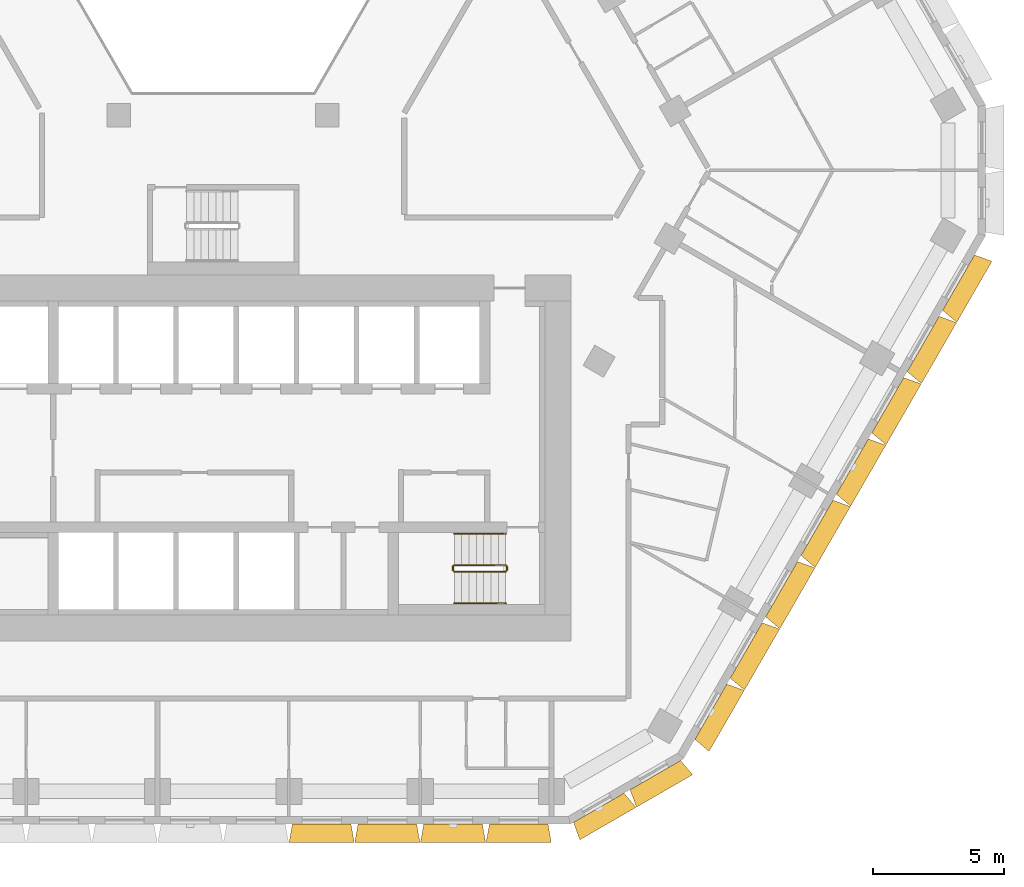
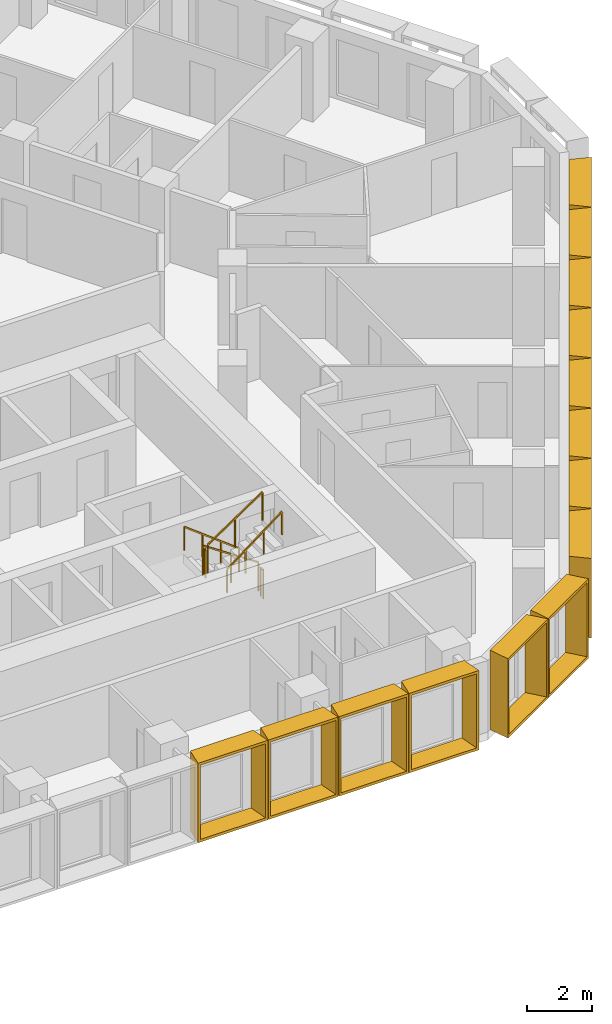
# One storey, part 17 of 18: 14 shading devices, 6 railings.
"""IFC4 building model written with IfcOpenShell, lengths in metres."""

from ifc_helpers import new_model, entity, si_unit, direction, frame, origin, origin_2d, place, context, subcontext, project, spatial, rectangle, extrude, source, transform, mapped, material, type_object, type_shapes, element, save


model = new_model("IFC4")

# Units and contexts
model_context = context("Model", 3, precision=1e-05, world=origin(), true_north=direction((0.0, 1.0)))
body_context = subcontext(model_context, "Body", "Model", "MODEL_VIEW")
ifc_project = project(units=[si_unit("LENGTHUNIT", "METRE"), si_unit("AREAUNIT", "SQUARE_METRE"), si_unit("VOLUMEUNIT", "CUBIC_METRE"), si_unit("PLANEANGLEUNIT", "RADIAN"), si_unit("MASSUNIT", "GRAM", prefix="KILO")], contexts=[model_context])

# Site, building, storey
site_placement = place(None, origin())
site = spatial("IfcSite", under=ifc_project, at=site_placement, CompositionType="ELEMENT")
building_placement = place(site_placement, origin())
building = spatial("IfcBuilding", under=site, at=building_placement, Name="Beryl Residences", CompositionType="ELEMENT")
storey_placement = place(building_placement, frame((0.0, 0.0, 87.0)))
storey = spatial("IfcBuildingStorey", under=building, at=storey_placement, Name="L26", CompositionType="ELEMENT", Elevation=87.0)

# Shading devices
ifc_material_1 = material(Name="Aluminium pale anodised", Category="aluminium")
shading_device_type_1 = type_object("IfcShadingDeviceType", Name="FR250-70A OUTER SKIN frame 700 mm deep, splay 10/10 deg, 2500 x 3000 mm cell", PredefinedType="USERDEFINED", material=ifc_material_1)
cartesian_point_1 = entity("IfcCartesianPoint", [-1.116455078125, 0.0])
cartesian_point_2 = entity("IfcCartesianPoint", [-1.03515625, 0.10009765625])
cartesian_point_3 = entity("IfcCartesianPoint", [-1.239990234375, 0.0])
cartesian_point_4 = entity("IfcCartesianPoint", [-1.15869140625, 0.10009765625])
shared_shape_1 = source(origin(), body_context, "Body", "SweptSolid", [
    entity("IfcExtrudedAreaSolidTapered", entity("IfcArbitraryProfileDefWithVoids", "AREA", None, entity("IfcPolyline", [cartesian_point_1, entity("IfcCartesianPoint", [1.116455078125, 0.0]), entity("IfcCartesianPoint", [1.116455078125, 3.0]), entity("IfcCartesianPoint", [-1.116455078125, 3.0]), cartesian_point_1]), [entity("IfcPolyline", [cartesian_point_2, entity("IfcCartesianPoint", [1.03515625, 0.10009765625]), entity("IfcCartesianPoint", [1.03515625, 2.89990234375]), entity("IfcCartesianPoint", [-1.03515625, 2.89990234375]), cartesian_point_2])]), entity("IfcAxis2Placement3D", entity("IfcCartesianPoint", [0.0, 0.0, 0.0]), entity("IfcDirection", [0.0, 1.0, 0.0]), entity("IfcDirection", [-1.0, 0.0, 0.0])), entity("IfcDirection", [0.0, 0.0, 1.0]), 0.699951171875, entity("IfcArbitraryProfileDefWithVoids", "AREA", None, entity("IfcPolyline", [cartesian_point_3, entity("IfcCartesianPoint", [1.239990234375, 0.0]), entity("IfcCartesianPoint", [1.239990234375, 3.0]), entity("IfcCartesianPoint", [-1.239990234375, 3.0]), cartesian_point_3]), [entity("IfcPolyline", [cartesian_point_4, entity("IfcCartesianPoint", [1.15869140625, 0.10009765625]), entity("IfcCartesianPoint", [1.15869140625, 2.89990234375]), entity("IfcCartesianPoint", [-1.15869140625, 2.89990234375]), cartesian_point_4])])),
])
type_shapes(shading_device_type_1, [shared_shape_1])
for number, where, z_axis, x_axis, name in (
    (1, (14.361083984375, -25.375, 0.0), (0.0, 0.0, 1.0), (-0.866025403784, -0.5, 0.0), "FR250-70A frame L26 S-SE 1"),
    (2, (16.527099609375, -24.125, 0.0), (0.0, 0.0, 1.0), (-0.866025403784, -0.5, 0.0), "FR250-70A frame L26 S-SE 2"),
):
    element("IfcShadingDevice", number, at=place(storey_placement, frame(where, z_axis=z_axis, x_axis=x_axis)), inside=storey, type_object=shading_device_type_1, Name=name, ObjectType="OUTER SKIN", PredefinedType="USERDEFINED", context=body_context, shape_type="MappedRepresentation", body=[
        mapped(shared_shape_1, transform((0.0, 0.0, 0.0))),
    ])
ifc_material_2 = material(Name="Aluminium pale anodised", Category="aluminium")
shading_device_type_2 = type_object("IfcShadingDeviceType", Name="FR251-70A OUTER SKIN frame 700 mm deep, splay 10/10 deg, 2510 x 3000 mm cell", PredefinedType="USERDEFINED", material=ifc_material_2)
cartesian_point_5 = entity("IfcCartesianPoint", [-1.12158203125, 0.0])
cartesian_point_6 = entity("IfcCartesianPoint", [-1.040283203125, 0.10009765625])
cartesian_point_7 = entity("IfcCartesianPoint", [-1.244873046875, 0.0])
cartesian_point_8 = entity("IfcCartesianPoint", [-1.16357421875, 0.10009765625])
shared_shape_2 = source(origin(), body_context, "Body", "SweptSolid", [
    entity("IfcExtrudedAreaSolidTapered", entity("IfcArbitraryProfileDefWithVoids", "AREA", None, entity("IfcPolyline", [cartesian_point_5, entity("IfcCartesianPoint", [1.12158203125, 0.0]), entity("IfcCartesianPoint", [1.12158203125, 3.0]), entity("IfcCartesianPoint", [-1.12158203125, 3.0]), cartesian_point_5]), [entity("IfcPolyline", [cartesian_point_6, entity("IfcCartesianPoint", [1.040283203125, 0.10009765625]), entity("IfcCartesianPoint", [1.040283203125, 2.89990234375]), entity("IfcCartesianPoint", [-1.040283203125, 2.89990234375]), cartesian_point_6])]), entity("IfcAxis2Placement3D", entity("IfcCartesianPoint", [0.0, 0.0, 0.0]), entity("IfcDirection", [0.0, 1.0, 0.0]), entity("IfcDirection", [-1.0, 0.0, 0.0])), entity("IfcDirection", [0.0, 0.0, 1.0]), 0.699951171875, entity("IfcArbitraryProfileDefWithVoids", "AREA", None, entity("IfcPolyline", [cartesian_point_7, entity("IfcCartesianPoint", [1.244873046875, 0.0]), entity("IfcCartesianPoint", [1.244873046875, 3.0]), entity("IfcCartesianPoint", [-1.244873046875, 3.0]), cartesian_point_7]), [entity("IfcPolyline", [cartesian_point_8, entity("IfcCartesianPoint", [1.16357421875, 0.10009765625]), entity("IfcCartesianPoint", [1.16357421875, 2.89990234375]), entity("IfcCartesianPoint", [-1.16357421875, 2.89990234375]), cartesian_point_8])])),
])
type_shapes(shading_device_type_2, [shared_shape_2])
for number, where, z_axis, x_axis, name in (
    (3, (3.76806640625, -26.0, 0.0), (0.0, 0.0, 1.0), (-1.0, 0.0, 0.0), "FR251-70A frame L26 S 7"),
    (4, (6.279052734375, -26.0, 0.0), (0.0, 0.0, 1.0), (-1.0, 0.0, 0.0), "FR251-70A frame L26 S 8"),
    (5, (8.791015625, -26.0, 0.0), (0.0, 0.0, 1.0), (-1.0, 0.0, 0.0), "FR251-70A frame L26 S 9"),
    (6, (11.302001953125, -26.0, 0.0), (0.0, 0.0, 1.0), (-1.0, 0.0, 0.0), "FR251-70A frame L26 S 10"),
):
    element("IfcShadingDevice", number, at=place(storey_placement, frame(where, z_axis=z_axis, x_axis=x_axis)), inside=storey, type_object=shading_device_type_2, Name=name, ObjectType="OUTER SKIN", PredefinedType="USERDEFINED", context=body_context, shape_type="MappedRepresentation", body=[
        mapped(shared_shape_2, transform((0.0, 0.0, 0.0))),
    ])
ifc_material_3 = material(Name="Aluminium pale anodised", Category="aluminium")
shading_device_type_3 = type_object("IfcShadingDeviceType", Name="FR271-70A OUTER SKIN frame 700 mm deep, splay 10/10 deg, 2710 x 3000 mm cell", PredefinedType="USERDEFINED", material=ifc_material_3)
cartesian_point_9 = entity("IfcCartesianPoint", [-1.221435546875, 0.0])
cartesian_point_10 = entity("IfcCartesianPoint", [-1.140380859375, 0.10009765625])
cartesian_point_11 = entity("IfcCartesianPoint", [-1.344970703125, 0.0])
cartesian_point_12 = entity("IfcCartesianPoint", [-1.263671875, 0.10009765625])
shared_shape_3 = source(origin(), body_context, "Body", "SweptSolid", [
    entity("IfcExtrudedAreaSolidTapered", entity("IfcArbitraryProfileDefWithVoids", "AREA", None, entity("IfcPolyline", [cartesian_point_9, entity("IfcCartesianPoint", [1.221435546875, 0.0]), entity("IfcCartesianPoint", [1.221435546875, 3.0]), entity("IfcCartesianPoint", [-1.221435546875, 3.0]), cartesian_point_9]), [entity("IfcPolyline", [cartesian_point_10, entity("IfcCartesianPoint", [1.140380859375, 0.10009765625]), entity("IfcCartesianPoint", [1.140380859375, 2.89990234375]), entity("IfcCartesianPoint", [-1.140380859375, 2.89990234375]), cartesian_point_10])]), entity("IfcAxis2Placement3D", entity("IfcCartesianPoint", [0.0, 0.0, 0.0]), entity("IfcDirection", [0.0, 1.0, 0.0]), entity("IfcDirection", [-1.0, 0.0, 0.0])), entity("IfcDirection", [0.0, 0.0, 1.0]), 0.699951171875, entity("IfcArbitraryProfileDefWithVoids", "AREA", None, entity("IfcPolyline", [cartesian_point_11, entity("IfcCartesianPoint", [1.344970703125, 0.0]), entity("IfcCartesianPoint", [1.344970703125, 3.0]), entity("IfcCartesianPoint", [-1.344970703125, 3.0]), cartesian_point_11]), [entity("IfcPolyline", [cartesian_point_12, entity("IfcCartesianPoint", [1.263671875, 0.10009765625]), entity("IfcCartesianPoint", [1.263671875, 2.89990234375]), entity("IfcCartesianPoint", [-1.263671875, 2.89990234375]), cartesian_point_12])])),
])
type_shapes(shading_device_type_3, [shared_shape_3])
for number, where, z_axis, x_axis, name in (
    (7, (18.64697265625, -21.7041015625, 0.0), (0.0, 0.0, 1.0), (-0.5, -0.866025403784, 0.0), "FR271-70A frame L26 SE 1"),
    (8, (20.0, -19.360107421875, 0.0), (0.0, 0.0, 1.0), (-0.5, -0.866025403784, 0.0), "FR271-70A frame L26 SE 2"),
    (9, (21.35302734375, -17.01611328125, 0.0), (0.0, 0.0, 1.0), (-0.5, -0.866025403784, 0.0), "FR271-70A frame L26 SE 3"),
    (10, (22.7060546875, -14.672119140625, 0.0), (0.0, 0.0, 1.0), (-0.5, -0.866025403784, 0.0), "FR271-70A frame L26 SE 4"),
    (11, (24.06005859375, -12.327880859375, 0.0), (0.0, 0.0, 1.0), (-0.5, -0.866025403784, 0.0), "FR271-70A frame L26 SE 5"),
    (12, (25.4130859375, -9.98388671875, 0.0), (0.0, 0.0, 1.0), (-0.5, -0.866025403784, 0.0), "FR271-70A frame L26 SE 6"),
    (13, (26.76611328125, -7.639892578125, 0.0), (0.0, 0.0, 1.0), (-0.5, -0.866025403784, 0.0), "FR271-70A frame L26 SE 7"),
    (14, (28.118896484375, -5.2958984375, 0.0), (0.0, 0.0, 1.0), (-0.5, -0.866025403784, 0.0), "FR271-70A frame L26 SE 8"),
):
    element("IfcShadingDevice", number, at=place(storey_placement, frame(where, z_axis=z_axis, x_axis=x_axis)), inside=storey, type_object=shading_device_type_3, Name=name, ObjectType="OUTER SKIN", PredefinedType="USERDEFINED", context=body_context, shape_type="MappedRepresentation", body=[
        mapped(shared_shape_3, transform((0.0, 0.0, 0.0))),
    ])

# Railings
ifc_material_4 = material(Name="Stainless steel balustrade with glass infill", Category="steel")
railing_type_1 = type_object("IfcRailingType", Name="SG1 stair guard 1100 mm", PredefinedType="GUARDRAIL", material=ifc_material_4)
railing_1_placement = place(storey_placement, frame((10.800048828125, -16.10009765625, 0.1875)))
element("IfcRailing", 15, at=railing_1_placement, inside=storey, type_object=railing_type_1, Name="L26 ST-3 stair guard 1", PredefinedType="GUARDRAIL", context=body_context, shape_type="SweptSolid", body=[
    extrude(rectangle(XDim=0.048095703125, YDim=0.048095703125, at=origin_2d()), frame((0.0, 0.0, 1.076171875), z_axis=(-0.830902050051, 0.0, 0.556418712142), x_axis=(0.0, -1.0, 0.0)), (0.0, 0.0, 1.0), 2.35888671875),
    extrude(rectangle(XDim=0.0419921875, YDim=0.0419921875, at=origin_2d()), origin(), (0.0, 0.0, 1.0), 1.052001953125),
    extrude(rectangle(XDim=0.0419921875, YDim=0.0419921875, at=origin_2d()), frame((-0.97998046875, 0.0, 0.65625)), (0.0, 0.0, 1.0), 1.052001953125),
    extrude(rectangle(XDim=0.0419921875, YDim=0.0419921875, at=origin_2d()), frame((-1.9599609375, 0.0, 1.3125)), (0.0, 0.0, 1.0), 1.052001953125),
])
railing_2_placement = place(storey_placement, frame((8.7900390625, -16.14990234375, 1.5)))
element("IfcRailing", 16, at=railing_2_placement, inside=storey, type_object=railing_type_1, Name="L26 ST-3 stair guard 2", PredefinedType="GUARDRAIL", context=body_context, shape_type="SweptSolid", body=[
    extrude(rectangle(XDim=0.048095703125, YDim=0.048095703125, at=origin_2d()), frame((0.0, 0.0, 1.076171875), z_axis=(0.0, -1.0, 0.0), x_axis=(1.0, 0.0, 0.0)), (0.0, 0.0, 1.0), 0.150146484375),
    extrude(rectangle(XDim=0.0419921875, YDim=0.0419921875, at=origin_2d()), origin(), (0.0, 0.0, 1.0), 1.052001953125),
    extrude(rectangle(XDim=0.0419921875, YDim=0.0419921875, at=origin_2d()), frame((0.0, -0.150146484375, 0.0)), (0.0, 0.0, 1.0), 1.052001953125),
])
railing_3_placement = place(storey_placement, frame((8.840087890625, -16.35009765625, 1.6875)))
element("IfcRailing", 17, at=railing_3_placement, inside=storey, type_object=railing_type_1, Name="L26 ST-3 stair guard 3", PredefinedType="GUARDRAIL", context=body_context, shape_type="SweptSolid", body=[
    extrude(rectangle(XDim=0.048095703125, YDim=0.048095703125, at=origin_2d()), frame((0.0, 0.0, 1.076171875), z_axis=(0.830902050051, 0.0, 0.556418712142), x_axis=(0.0, 1.0, 0.0)), (0.0, 0.0, 1.0), 2.35888671875),
    extrude(rectangle(XDim=0.0419921875, YDim=0.0419921875, at=origin_2d()), origin(), (0.0, 0.0, 1.0), 1.052001953125),
    extrude(rectangle(XDim=0.0419921875, YDim=0.0419921875, at=origin_2d()), frame((0.97998046875, 0.0, 0.65625)), (0.0, 0.0, 1.0), 1.052001953125),
    extrude(rectangle(XDim=0.0419921875, YDim=0.0419921875, at=origin_2d()), frame((1.9599609375, 0.0, 1.3125)), (0.0, 0.0, 1.0), 1.052001953125),
])
railing_4_placement = place(storey_placement, frame((10.85009765625, -16.14990234375, 0.0)))
element("IfcRailing", 18, at=railing_4_placement, inside=storey, type_object=railing_type_1, Name="L26 ST-3 stair guard 4", PredefinedType="GUARDRAIL", context=body_context, shape_type="SweptSolid", body=[
    extrude(rectangle(XDim=0.048095703125, YDim=0.048095703125, at=origin_2d()), frame((0.0, 0.0, 1.076171875), z_axis=(0.0, -1.0, 0.0), x_axis=(1.0, 0.0, 0.0)), (0.0, 0.0, 1.0), 0.150146484375),
    extrude(rectangle(XDim=0.0419921875, YDim=0.0419921875, at=origin_2d()), origin(), (0.0, 0.0, 1.0), 1.052001953125),
    extrude(rectangle(XDim=0.0419921875, YDim=0.0419921875, at=origin_2d()), frame((0.0, -0.150146484375, 0.0)), (0.0, 0.0, 1.0), 1.052001953125),
])
ifc_material_5 = material(Name="Stainless steel handrail", Category="steel")
railing_type_2 = type_object("IfcRailingType", Name="SRL1 stair handrail 900 mm", PredefinedType="HANDRAIL", material=ifc_material_5)
railing_5_placement = place(storey_placement, frame((10.800048828125, -14.89990234375, 0.1875)))
element("IfcRailing", 19, at=railing_5_placement, inside=storey, type_object=railing_type_2, Name="L26 ST-3 stair handrail 1", PredefinedType="HANDRAIL", context=body_context, shape_type="SweptSolid", body=[
    extrude(rectangle(XDim=0.048095703125, YDim=0.048095703125, at=origin_2d()), frame((0.0, 0.0, 0.8759765625), z_axis=(-0.794121922505, 0.0, 0.607758481798), x_axis=(0.0, -1.0, 0.0)), (0.0, 0.0, 1.0), 2.468017578125),
    extrude(rectangle(XDim=0.0419921875, YDim=0.0419921875, at=origin_2d()), origin(), (0.0, 0.0, 1.0), 0.851806640625),
    extrude(rectangle(XDim=0.0419921875, YDim=0.0419921875, at=origin_2d()), frame((-0.6533203125, 0.0, 0.5)), (0.0, 0.0, 1.0), 0.851806640625),
    extrude(rectangle(XDim=0.0419921875, YDim=0.0419921875, at=origin_2d()), frame((-1.306640625, 0.0, 1.0)), (0.0, 0.0, 1.0), 0.851806640625),
    extrude(rectangle(XDim=0.0419921875, YDim=0.0419921875, at=origin_2d()), frame((-1.9599609375, 0.0, 1.5)), (0.0, 0.0, 1.0), 0.851806640625),
])
railing_6_placement = place(storey_placement, frame((8.840087890625, -17.550048828125, 1.6875)))
element("IfcRailing", 20, at=railing_6_placement, inside=storey, type_object=railing_type_2, Name="L26 ST-3 stair handrail 2", PredefinedType="HANDRAIL", context=body_context, shape_type="SweptSolid", body=[
    extrude(rectangle(XDim=0.048095703125, YDim=0.048095703125, at=origin_2d()), frame((0.0, 0.0, 0.8759765625), z_axis=(0.794121922505, 0.0, 0.607758481798), x_axis=(0.0, 1.0, 0.0)), (0.0, 0.0, 1.0), 2.468017578125),
    extrude(rectangle(XDim=0.0419921875, YDim=0.0419921875, at=origin_2d()), origin(), (0.0, 0.0, 1.0), 0.851806640625),
    extrude(rectangle(XDim=0.0419921875, YDim=0.0419921875, at=origin_2d()), frame((0.6533203125, 0.0, 0.5)), (0.0, 0.0, 1.0), 0.851806640625),
    extrude(rectangle(XDim=0.0419921875, YDim=0.0419921875, at=origin_2d()), frame((1.306640625, 0.0, 1.0)), (0.0, 0.0, 1.0), 0.851806640625),
    extrude(rectangle(XDim=0.0419921875, YDim=0.0419921875, at=origin_2d()), frame((1.9599609375, 0.0, 1.5)), (0.0, 0.0, 1.0), 0.851806640625),
])

save(model, "model.ifc")
